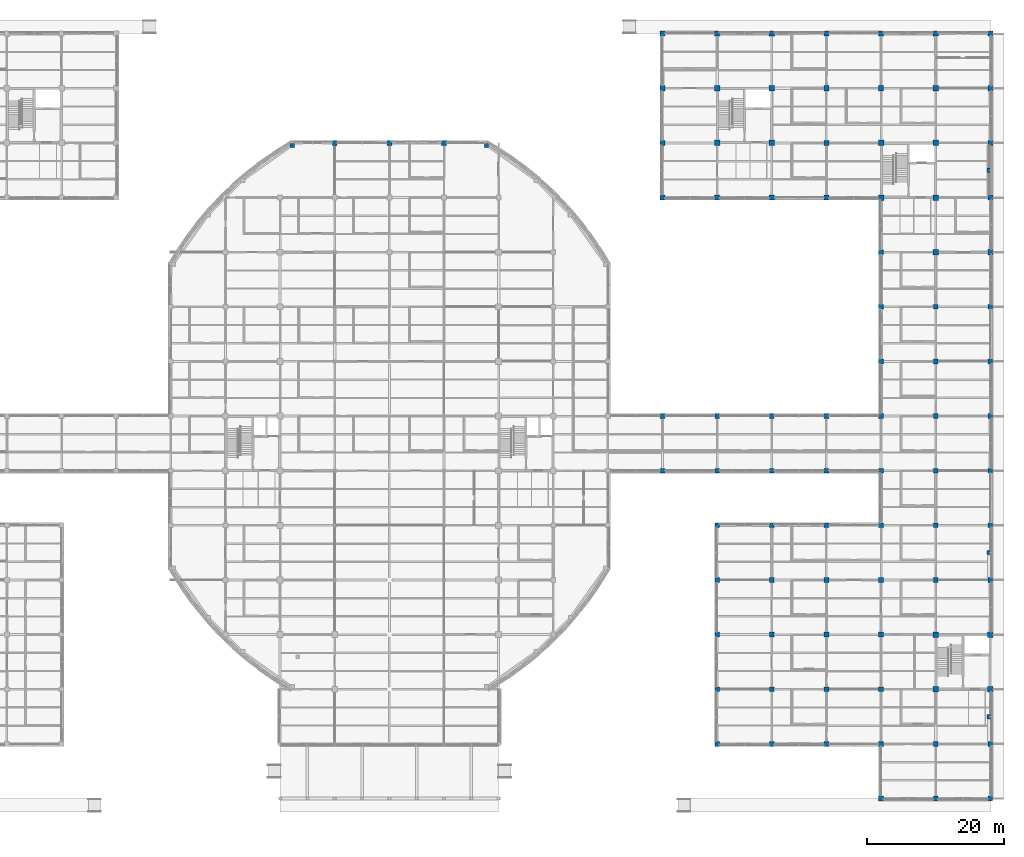
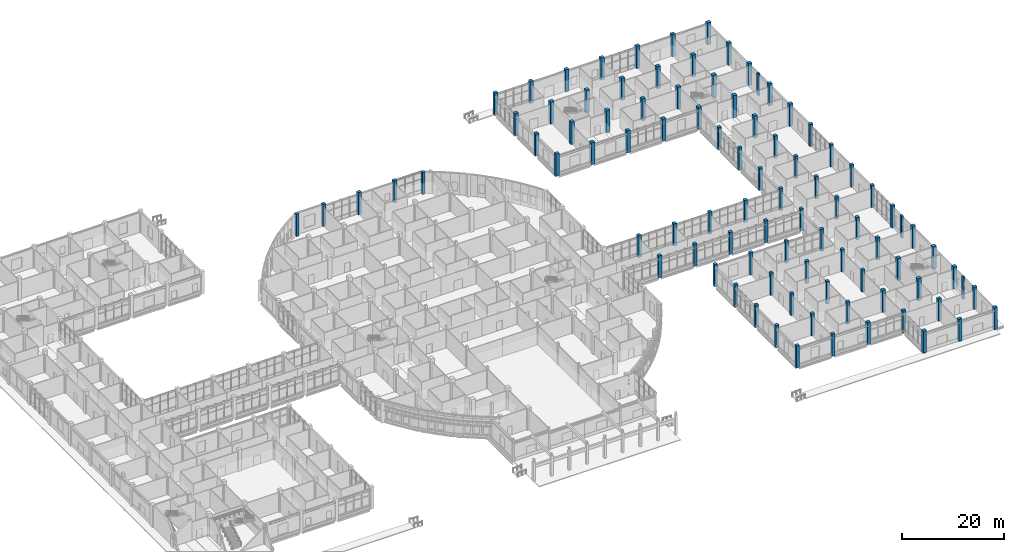
# One storey, part 7 of 105: 92 columns.
"""IFC4 building model written with IfcOpenShell, lengths in metres."""

from ifc_helpers import new_model, si_unit, derived_unit, direction, frame, origin, origin_2d, place, context, subcontext, project, spatial, rectangle, extrude, material, material_profile, profile_set, type_object, element, save


model = new_model("IFC4")

# Units and contexts
model_context = context("Model", 3, precision=1e-05, world=origin(), true_north=direction((0.0, 1.0)))
body_context = subcontext(model_context, "Body", "Model", "MODEL_VIEW")
ifc_project = project(units=[si_unit("LENGTHUNIT", "METRE"), si_unit("AREAUNIT", "SQUARE_METRE"), si_unit("VOLUMEUNIT", "CUBIC_METRE"), si_unit("PLANEANGLEUNIT", "RADIAN"), si_unit("MASSUNIT", "GRAM", prefix="KILO"), derived_unit("THERMALTRANSMITTANCEUNIT", [(si_unit("MASSUNIT", "GRAM", prefix="KILO"), 1), (si_unit("TIMEUNIT", "SECOND"), -3), (si_unit("THERMODYNAMICTEMPERATUREUNIT", "KELVIN"), -1)])], contexts=[model_context])

# Site, building, storey
site_placement = place(None, origin())
site = spatial("IfcSite", under=ifc_project, at=site_placement, CompositionType="ELEMENT")
building_placement = place(site_placement, origin())
building = spatial("IfcBuilding", under=site, at=building_placement, Name="Veyamyaing Civic Hall", CompositionType="ELEMENT")
storey_placement = place(building_placement, origin())
storey = spatial("IfcBuildingStorey", under=building, at=storey_placement, Name="L00", CompositionType="ELEMENT", Elevation=0.0)

# Columns
ifc_material = material(Name="Concrete C45/55", Category="concrete")
ifc_material_profile_1 = material_profile(ifc_material, rectangle(XDim=0.800048828125, YDim=0.800048828125, at=origin_2d()), Name="RC-COL-800X800")
ifc_profile_set_1 = profile_set([ifc_material_profile_1], Name="Concrete C45/55")
column_type_1 = type_object("IfcColumnType", Name="C-02", PredefinedType="COLUMN", material=ifc_profile_set_1)
for number, where, z_axis, x_axis, name in (
    (1, (136.0, 96.0, 0.0), (0.0, 0.0, 1.0), (1.0, 0.0, 0.0), "Column C-02 18-N L00"),
    (2, (136.0, 104.0, 0.0), (0.0, 0.0, 1.0), (1.0, 0.0, 0.0), "Column C-02 18-P L00"),
    (3, (144.0, 96.0, 0.0), (0.0, 0.0, 1.0), (1.0, 0.0, 0.0), "Column C-02 19-N L00"),
    (4, (144.0, 104.0, 0.0), (0.0, 0.0, 1.0), (1.0, 0.0, 0.0), "Column C-02 19-P L00"),
    (5, (160.0, 88.0, 0.0), (0.0, 0.0, 1.0), (1.0, 0.0, 0.0), "Column C-02 21-M L00"),
    (6, (160.0, 96.0, 0.0), (0.0, 0.0, 1.0), (1.0, 0.0, 0.0), "Column C-02 21-N L00"),
    (7, (168.0, 16.0, 0.0), (0.0, 0.0, 1.0), (1.0, 0.0, 0.0), "Column C-02 22-C L00"),
    (8, (168.0, 24.0, 0.0), (0.0, 0.0, 1.0), (1.0, 0.0, 0.0), "Column C-02 22-D L00"),
    (9, (168.0, 88.0, 0.0), (0.0, 0.0, 1.0), (1.0, 0.0, 0.0), "Column C-02 22-M L00"),
    (10, (168.0, 96.0, 0.0), (0.0, 0.0, 1.0), (1.0, 0.0, 0.0), "Column C-02 22-N L00"),
    (11, (176.0, 16.0, 0.0), (0.0, 0.0, 1.0), (1.0, 0.0, 0.0), "Column C-02 23-C L00"),
    (12, (176.0, 24.0, 0.0), (0.0, 0.0, 1.0), (1.0, 0.0, 0.0), "Column C-02 23-D L00"),
):
    element("IfcColumn", number, at=place(storey_placement, frame(where, z_axis=z_axis, x_axis=x_axis)), inside=storey, type_object=column_type_1, Name=name, PredefinedType="COLUMN", context=body_context, shape_type="SweptSolid", body=[
        extrude(rectangle(XDim=0.800048828125, YDim=0.800048828125, at=origin_2d()), origin(), (0.0, 0.0, 1.0), 5.280029296875),
    ])
ifc_material_profile_2 = material_profile(ifc_material, rectangle(XDim=0.75, YDim=0.75, at=origin_2d()), Name="RC-COL-750X750")
ifc_profile_set_2 = profile_set([ifc_material_profile_2], Name="Concrete C45/55")
column_type_2 = type_object("IfcColumnType", Name="C-03", PredefinedType="COLUMN", material=ifc_profile_set_2)
for number, where, z_axis, x_axis, name in (
    (13, (128.0, 88.0, 0.0), (0.0, 0.0, 1.0), (1.0, 0.0, 0.0), "Column C-03 17-M L00"),
    (14, (128.0, 96.0, 0.0), (0.0, 0.0, 1.0), (1.0, 0.0, 0.0), "Column C-03 17-N L00"),
    (15, (128.0, 104.0, 0.0), (0.0, 0.0, 1.0), (1.0, 0.0, 0.0), "Column C-03 17-P L00"),
    (16, (128.0, 112.0, 0.0), (0.0, 0.0, 1.0), (1.0, 0.0, 0.0), "Column C-03 17-Q L00"),
    (17, (136.0, 88.0, 0.0), (0.0, 0.0, 1.0), (1.0, 0.0, 0.0), "Column C-03 18-M L00"),
    (18, (136.0, 112.0, 0.0), (0.0, 0.0, 1.0), (1.0, 0.0, 0.0), "Column C-03 18-Q L00"),
    (19, (144.0, 88.0, 0.0), (0.0, 0.0, 1.0), (1.0, 0.0, 0.0), "Column C-03 19-M L00"),
    (20, (144.0, 112.0, 0.0), (0.0, 0.0, 1.0), (1.0, 0.0, 0.0), "Column C-03 19-Q L00"),
    (21, (152.0, 88.0, 0.0), (0.0, 0.0, 1.0), (1.0, 0.0, 0.0), "Column C-03 20-M L00"),
    (22, (152.0, 96.0, 0.0), (0.0, 0.0, 1.0), (1.0, 0.0, 0.0), "Column C-03 20-N L00"),
    (23, (152.0, 104.0, 0.0), (0.0, 0.0, 1.0), (1.0, 0.0, 0.0), "Column C-03 20-P L00"),
    (24, (152.0, 112.0, 0.0), (0.0, 0.0, 1.0), (1.0, 0.0, 0.0), "Column C-03 20-Q L00"),
    (25, (160.0, 104.0, 0.0), (0.0, 0.0, 1.0), (1.0, 0.0, 0.0), "Column C-03 21-P L00"),
    (26, (160.0, 112.0, 0.0), (0.0, 0.0, 1.0), (1.0, 0.0, 0.0), "Column C-03 21-Q L00"),
    (27, (168.0, 80.0, 0.0), (0.0, 0.0, 1.0), (1.0, 0.0, 0.0), "Column C-03 22-L L00"),
    (28, (168.0, 104.0, 0.0), (0.0, 0.0, 1.0), (1.0, 0.0, 0.0), "Column C-03 22-P L00"),
    (29, (168.0, 112.0, 0.0), (0.0, 0.0, 1.0), (1.0, 0.0, 0.0), "Column C-03 22-Q L00"),
    (30, (176.0, 80.0, 0.0), (0.0, 0.0, 1.0), (1.0, 0.0, 0.0), "Column C-03 23-L L00"),
    (31, (176.0, 88.0, 0.0), (0.0, 0.0, 1.0), (1.0, 0.0, 0.0), "Column C-03 23-M L00"),
    (32, (176.0, 96.0, 0.0), (0.0, 0.0, 1.0), (1.0, 0.0, 0.0), "Column C-03 23-N L00"),
    (33, (176.0, 104.0, 0.0), (0.0, 0.0, 1.0), (1.0, 0.0, 0.0), "Column C-03 23-P L00"),
    (34, (176.0, 112.0, 0.0), (0.0, 0.0, 1.0), (1.0, 0.0, 0.0), "Column C-03 23-Q L00"),
):
    element("IfcColumn", number, at=place(storey_placement, frame(where, z_axis=z_axis, x_axis=x_axis)), inside=storey, type_object=column_type_2, Name=name, PredefinedType="COLUMN", context=body_context, shape_type="SweptSolid", body=[
        extrude(rectangle(XDim=0.75, YDim=0.75, at=origin_2d()), origin(), (0.0, 0.0, 1.0), 5.280029296875),
    ])
ifc_material_profile_3 = material_profile(ifc_material, rectangle(XDim=0.699951171875, YDim=0.699951171875, at=origin_2d()), Name="RC-COL-700X700")
ifc_profile_set_3 = profile_set([ifc_material_profile_3], Name="Concrete C45/55")
column_type_3 = type_object("IfcColumnType", Name="C-04", PredefinedType="COLUMN", material=ifc_profile_set_3)
for number, where, z_axis, x_axis, name in (
    (35, (80.0, 96.0, 0.0), (0.0, 0.0, 1.0), (1.0, 0.0, 0.0), "Column C-04 11-N L00"),
    (36, (88.0, 96.0, 0.0), (0.0, 0.0, 1.0), (1.0, 0.0, 0.0), "Column C-04 12-N L00"),
    (37, (96.0, 96.0, 0.0), (0.0, 0.0, 1.0), (1.0, 0.0, 0.0), "Column C-04 13-N L00"),
    (38, (128.0, 48.0, 0.0), (0.0, 0.0, 1.0), (1.0, 0.0, 0.0), "Column C-04 17-G L00"),
    (39, (128.0, 56.0, 0.0), (0.0, 0.0, 1.0), (1.0, 0.0, 0.0), "Column C-04 17-H L00"),
    (40, (136.0, 8.0, 0.0), (0.0, 0.0, 1.0), (1.0, 0.0, 0.0), "Column C-04 18-B L00"),
    (41, (136.0, 16.0, 0.0), (0.0, 0.0, 1.0), (1.0, 0.0, 0.0), "Column C-04 18-C L00"),
    (42, (136.0, 24.0, 0.0), (0.0, 0.0, 1.0), (1.0, 0.0, 0.0), "Column C-04 18-D L00"),
    (43, (136.0, 32.0, 0.0), (0.0, 0.0, 1.0), (1.0, 0.0, 0.0), "Column C-04 18-E L00"),
    (44, (136.0, 40.0, 0.0), (0.0, 0.0, 1.0), (1.0, 0.0, 0.0), "Column C-04 18-F L00"),
    (45, (136.0, 48.0, 0.0), (0.0, 0.0, 1.0), (1.0, 0.0, 0.0), "Column C-04 18-G L00"),
    (46, (136.0, 56.0, 0.0), (0.0, 0.0, 1.0), (1.0, 0.0, 0.0), "Column C-04 18-H L00"),
    (47, (144.0, 8.0, 0.0), (0.0, 0.0, 1.0), (1.0, 0.0, 0.0), "Column C-04 19-B L00"),
    (48, (144.0, 16.0, 0.0), (0.0, 0.0, 1.0), (1.0, 0.0, 0.0), "Column C-04 19-C L00"),
    (49, (144.0, 24.0, 0.0), (0.0, 0.0, 1.0), (1.0, 0.0, 0.0), "Column C-04 19-D L00"),
    (50, (144.0, 32.0, 0.0), (0.0, 0.0, 1.0), (1.0, 0.0, 0.0), "Column C-04 19-E L00"),
    (51, (144.0, 40.0, 0.0), (0.0, 0.0, 1.0), (1.0, 0.0, 0.0), "Column C-04 19-F L00"),
    (52, (144.0, 48.0, 0.0), (0.0, 0.0, 1.0), (1.0, 0.0, 0.0), "Column C-04 19-G L00"),
    (53, (144.0, 56.0, 0.0), (0.0, 0.0, 1.0), (1.0, 0.0, 0.0), "Column C-04 19-H L00"),
    (54, (152.0, 8.0, 0.0), (0.0, 0.0, 1.0), (1.0, 0.0, 0.0), "Column C-04 20-B L00"),
    (55, (152.0, 16.0, 0.0), (0.0, 0.0, 1.0), (1.0, 0.0, 0.0), "Column C-04 20-C L00"),
    (56, (152.0, 24.0, 0.0), (0.0, 0.0, 1.0), (1.0, 0.0, 0.0), "Column C-04 20-D L00"),
    (57, (152.0, 32.0, 0.0), (0.0, 0.0, 1.0), (1.0, 0.0, 0.0), "Column C-04 20-E L00"),
    (58, (152.0, 40.0, 0.0), (0.0, 0.0, 1.0), (1.0, 0.0, 0.0), "Column C-04 20-F L00"),
    (59, (152.0, 48.0, 0.0), (0.0, 0.0, 1.0), (1.0, 0.0, 0.0), "Column C-04 20-G L00"),
    (60, (152.0, 56.0, 0.0), (0.0, 0.0, 1.0), (1.0, 0.0, 0.0), "Column C-04 20-H L00"),
    (61, (160.0, 0.0, 0.0), (0.0, 0.0, 1.0), (1.0, 0.0, 0.0), "Column C-04 21-A L00"),
    (62, (160.0, 8.0, 0.0), (0.0, 0.0, 1.0), (1.0, 0.0, 0.0), "Column C-04 21-B L00"),
    (63, (160.0, 16.0, 0.0), (0.0, 0.0, 1.0), (1.0, 0.0, 0.0), "Column C-04 21-C L00"),
    (64, (160.0, 24.0, 0.0), (0.0, 0.0, 1.0), (1.0, 0.0, 0.0), "Column C-04 21-D L00"),
    (65, (160.0, 32.0, 0.0), (0.0, 0.0, 1.0), (1.0, 0.0, 0.0), "Column C-04 21-E L00"),
    (66, (160.0, 40.0, 0.0), (0.0, 0.0, 1.0), (1.0, 0.0, 0.0), "Column C-04 21-F L00"),
    (67, (160.0, 48.0, 0.0), (0.0, 0.0, 1.0), (1.0, 0.0, 0.0), "Column C-04 21-G L00"),
    (68, (160.0, 56.0, 0.0), (0.0, 0.0, 1.0), (1.0, 0.0, 0.0), "Column C-04 21-H L00"),
    (69, (160.0, 64.0, 0.0), (0.0, 0.0, 1.0), (1.0, 0.0, 0.0), "Column C-04 21-J L00"),
    (70, (160.0, 72.0, 0.0), (0.0, 0.0, 1.0), (1.0, 0.0, 0.0), "Column C-04 21-K L00"),
    (71, (160.0, 80.0, 0.0), (0.0, 0.0, 1.0), (1.0, 0.0, 0.0), "Column C-04 21-L L00"),
    (72, (168.0, 0.0, 0.0), (0.0, 0.0, 1.0), (1.0, 0.0, 0.0), "Column C-04 22-A L00"),
    (73, (168.0, 8.0, 0.0), (0.0, 0.0, 1.0), (1.0, 0.0, 0.0), "Column C-04 22-B L00"),
    (74, (168.0, 32.0, 0.0), (0.0, 0.0, 1.0), (1.0, 0.0, 0.0), "Column C-04 22-E L00"),
    (75, (168.0, 40.0, 0.0), (0.0, 0.0, 1.0), (1.0, 0.0, 0.0), "Column C-04 22-F L00"),
    (76, (168.0, 48.0, 0.0), (0.0, 0.0, 1.0), (1.0, 0.0, 0.0), "Column C-04 22-G L00"),
    (77, (168.0, 56.0, 0.0), (0.0, 0.0, 1.0), (1.0, 0.0, 0.0), "Column C-04 22-H L00"),
    (78, (168.0, 64.0, 0.0), (0.0, 0.0, 1.0), (1.0, 0.0, 0.0), "Column C-04 22-J L00"),
    (79, (168.0, 72.0, 0.0), (0.0, 0.0, 1.0), (1.0, 0.0, 0.0), "Column C-04 22-K L00"),
    (80, (176.0, 0.0, 0.0), (0.0, 0.0, 1.0), (1.0, 0.0, 0.0), "Column C-04 23-A L00"),
    (81, (176.0, 8.0, 0.0), (0.0, 0.0, 1.0), (1.0, 0.0, 0.0), "Column C-04 23-B L00"),
    (82, (176.0, 32.0, 0.0), (0.0, 0.0, 1.0), (1.0, 0.0, 0.0), "Column C-04 23-E L00"),
    (83, (176.0, 40.0, 0.0), (0.0, 0.0, 1.0), (1.0, 0.0, 0.0), "Column C-04 23-F L00"),
    (84, (176.0, 48.0, 0.0), (0.0, 0.0, 1.0), (1.0, 0.0, 0.0), "Column C-04 23-G L00"),
    (85, (176.0, 56.0, 0.0), (0.0, 0.0, 1.0), (1.0, 0.0, 0.0), "Column C-04 23-H L00"),
    (86, (176.0, 64.0, 0.0), (0.0, 0.0, 1.0), (1.0, 0.0, 0.0), "Column C-04 23-J L00"),
    (87, (176.0, 72.0, 0.0), (0.0, 0.0, 1.0), (1.0, 0.0, 0.0), "Column C-04 23-K L00"),
):
    element("IfcColumn", number, at=place(storey_placement, frame(where, z_axis=z_axis, x_axis=x_axis)), inside=storey, type_object=column_type_3, Name=name, PredefinedType="COLUMN", context=body_context, shape_type="SweptSolid", body=[
        extrude(rectangle(XDim=0.699951171875, YDim=0.699951171875, at=origin_2d()), origin(), (0.0, 0.0, 1.0), 5.280029296875),
    ])
ifc_material_profile_4 = material_profile(ifc_material, rectangle(XDim=0.60009765625, YDim=0.60009765625, at=origin_2d()), Name="RC-COL-600X600")
ifc_profile_set_4 = profile_set([ifc_material_profile_4], Name="Concrete C45/55")
column_type_4 = type_object("IfcColumnType", Name="C-06", PredefinedType="COLUMN", material=ifc_profile_set_4)
for number, where, z_axis, x_axis, name in (
    (88, (102.220703125, 95.63623046875, 0.0), (0.0, 0.0, 1.0), (1.0, 0.0, 0.0), "Curved corner column C-06 ARC-NE-14 L00"),
    (89, (73.779296875, 95.63623046875, 0.0), (0.0, 0.0, 1.0), (1.0, 0.0, 0.0), "Curved corner column C-06 ARC-NW-00 L00"),
):
    element("IfcColumn", number, at=place(storey_placement, frame(where, z_axis=z_axis, x_axis=x_axis)), inside=storey, type_object=column_type_4, Name=name, PredefinedType="COLUMN", context=body_context, shape_type="SweptSolid", body=[
        extrude(rectangle(XDim=0.60009765625, YDim=0.60009765625, at=origin_2d()), origin(), (0.0, 0.0, 1.0), 5.280029296875),
    ])
ifc_material_profile_5 = material_profile(ifc_material, rectangle(XDim=0.5, YDim=0.64990234375, at=origin_2d()), Name="RC-PIL-500X650")
ifc_profile_set_5 = profile_set([ifc_material_profile_5], Name="Concrete C45/55")
column_type_5 = type_object("IfcColumnType", Name="C-12", PredefinedType="PILASTER", material=ifc_profile_set_5)
column_placement = place(storey_placement, frame((175.75, 12.0, 0.0), z_axis=(0.0, 0.0, 1.0), x_axis=(1.0, 0.0, 0.0)))
element("IfcColumn", 90, at=column_placement, inside=storey, type_object=column_type_5, Name="Arcade pilaster C-12 PIL-E-01 L00", PredefinedType="PILASTER", context=body_context, shape_type="SweptSolid", body=[
    extrude(rectangle(XDim=0.5, YDim=0.64990234375, at=origin_2d()), origin(), (0.0, 0.0, 1.0), 5.280029296875),
])
ifc_material_profile_6 = material_profile(ifc_material, rectangle(XDim=0.449951171875, YDim=0.60009765625, at=origin_2d()), Name="RC-PIL-450X600")
ifc_profile_set_6 = profile_set([ifc_material_profile_6], Name="Concrete C45/55")
column_type_6 = type_object("IfcColumnType", Name="C-13", PredefinedType="PILASTER", material=ifc_profile_set_6)
for number, where, z_axis, x_axis, name in (
    (91, (175.75, 36.0, 0.0), (0.0, 0.0, 1.0), (1.0, 0.0, 0.0), "Arcade pilaster C-13 PIL-E-04 L00"),
    (92, (175.75, 92.0, 0.0), (0.0, 0.0, 1.0), (1.0, 0.0, 0.0), "Arcade pilaster C-13 PIL-E-11 L00"),
):
    element("IfcColumn", number, at=place(storey_placement, frame(where, z_axis=z_axis, x_axis=x_axis)), inside=storey, type_object=column_type_6, Name=name, PredefinedType="PILASTER", context=body_context, shape_type="SweptSolid", body=[
        extrude(rectangle(XDim=0.449951171875, YDim=0.60009765625, at=origin_2d()), origin(), (0.0, 0.0, 1.0), 5.280029296875),
    ])

save(model, "model.ifc")
